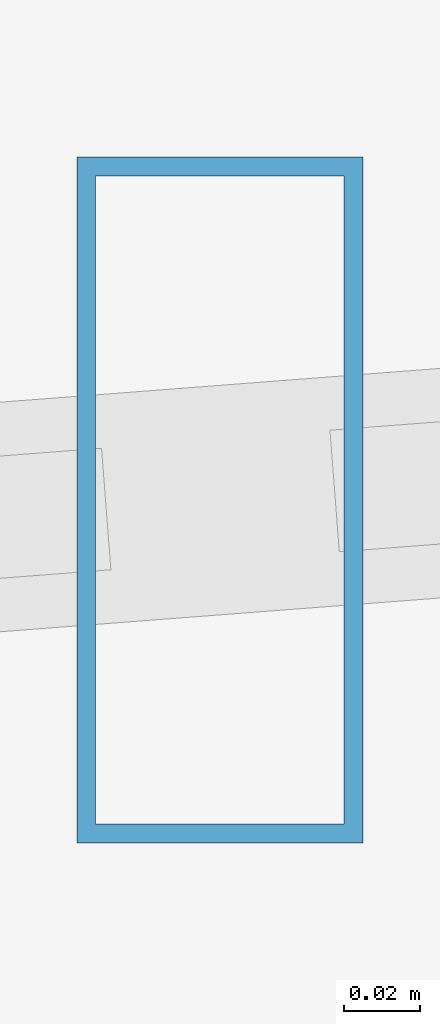
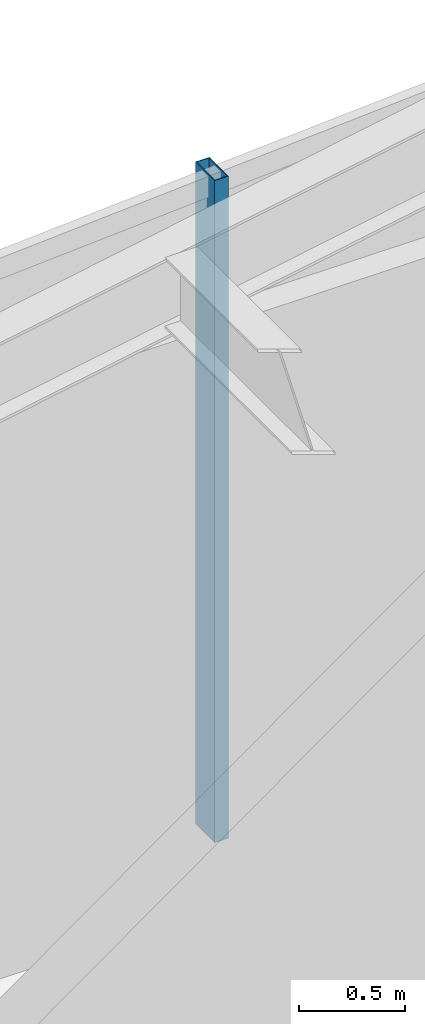
# One storey, part 10 of 29: 1 member, 1 element without a shape of its own.
"""IFC4 building model written with IfcOpenShell, lengths in metres."""

from ifc_helpers import new_model, si_unit, direction, frame, origin, origin_2d, place, context, subcontext, project, spatial, hollow_rectangle, extrude, material, layer, layer_set, material_profile, profile_set, type_object, element, aggregate, save


model = new_model("IFC4")

# Units and contexts
model_context = context("Model", 3, precision=1e-05, world=origin(), true_north=direction((0.0, 1.0)))
body_context = subcontext(model_context, "Body", "Model", "MODEL_VIEW")
ifc_project = project(units=[si_unit("LENGTHUNIT", "METRE"), si_unit("AREAUNIT", "SQUARE_METRE"), si_unit("VOLUMEUNIT", "CUBIC_METRE"), si_unit("PLANEANGLEUNIT", "RADIAN"), si_unit("MASSUNIT", "GRAM", prefix="KILO")], contexts=[model_context])

# Site, building, storey
site_placement = place(None, origin())
site = spatial("IfcSite", under=ifc_project, at=site_placement, CompositionType="ELEMENT")
building_placement = place(site_placement, origin())
building = spatial("IfcBuilding", under=site, at=building_placement, Name="Veymaron Broadcast Tower", CompositionType="ELEMENT")
storey_placement = place(building_placement, frame((0.0, 0.0, 41.85009765625)))
storey = spatial("IfcBuildingStorey", under=building, at=storey_placement, Name="L08", CompositionType="ELEMENT", Elevation=41.85009765625)

# Curtain wall, member
ifc_material_1 = material(Name="Anodised aluminium AA 6063-T6 and laminated low-E dark glass", Category="aluminium")
ifc_layer = layer(ifc_material_1, 0.179931640625)
ifc_layer_set = layer_set([ifc_layer], Name="Anodised aluminium AA 6063-T6 and laminated low-E dark glass")
curtain_wall_type = type_object("IfcCurtainWallType", Name="CW-SYS-02", PredefinedType="NOTDEFINED", material=ifc_layer_set)
curtain_wall_placement = place(storey_placement, origin())
curtain_wall = element("IfcCurtainWall", 1, at=curtain_wall_placement, inside=storey, type_object=curtain_wall_type, Name="L08 dark-glass curtain wall CW-L08-E11-1", PredefinedType="NOTDEFINED")
ifc_material_2 = material(Name="Anodised aluminium AA 6063-T6", Category="aluminium")
ifc_material_profile = material_profile(ifc_material_2, hollow_rectangle(XDim=0.074951171875, YDim=0.179931640625, WallThickness=0.0048828125, at=origin_2d()), Name="AL180X75X5")
ifc_profile_set = profile_set([ifc_material_profile], Name="Anodised aluminium AA 6063-T6")
member_type = type_object("IfcMemberType", Name="CW-MUL-02", PredefinedType="MULLION", material=ifc_profile_set)
member_placement = place(storey_placement, frame((19.142578125, 29.927001953125, 0.0), z_axis=(0.0, 0.0, 1.0), x_axis=(1.0, 0.0, 0.0)))
member = element("IfcMember", 2, at=member_placement, type_object=member_type, Name="CW-L08-E11-1 mullion 1", PredefinedType="MULLION", context=body_context, shape_type="SweptSolid", body=[
    extrude(hollow_rectangle(XDim=0.074951171875, YDim=0.179931640625, WallThickness=0.0048828125, at=origin_2d()), origin(), (0.0, 0.0, 1.0), 3.809814453125),
])
aggregate(curtain_wall, [member])

save(model, "model.ifc")
